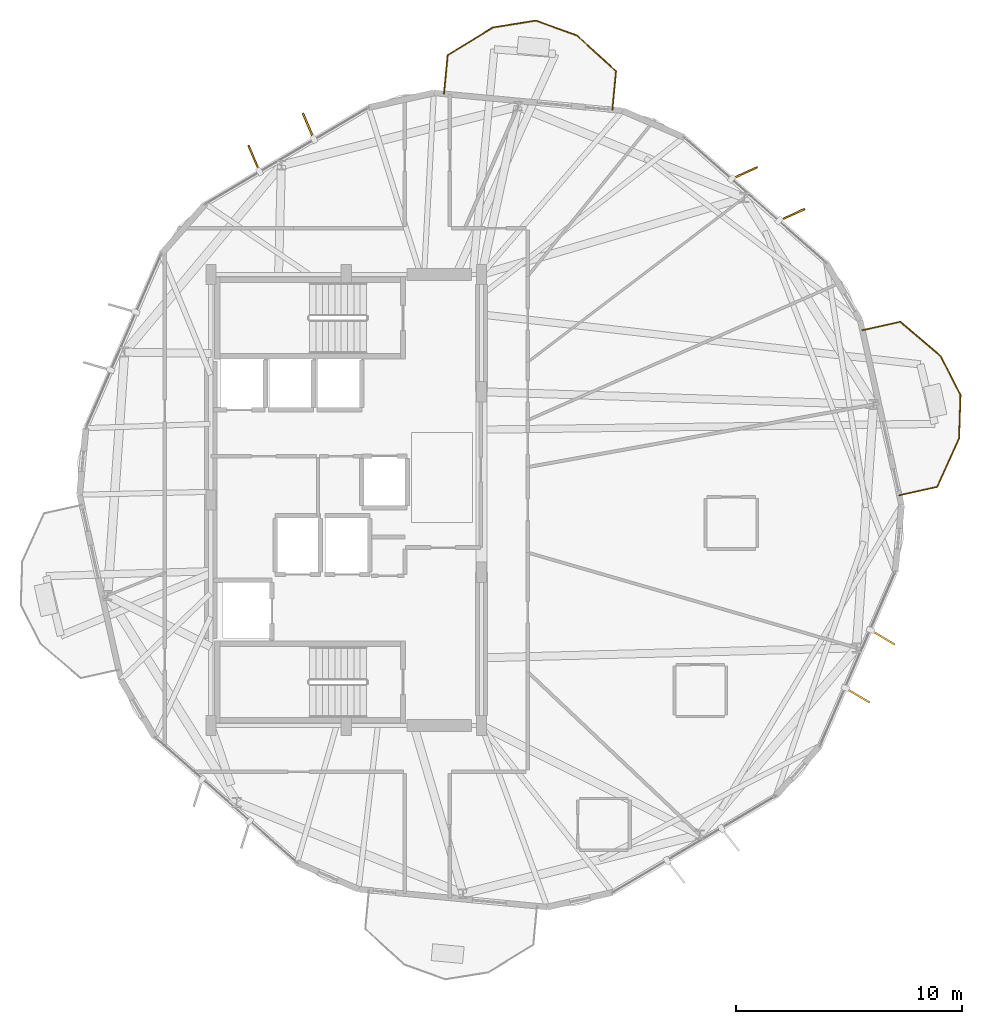
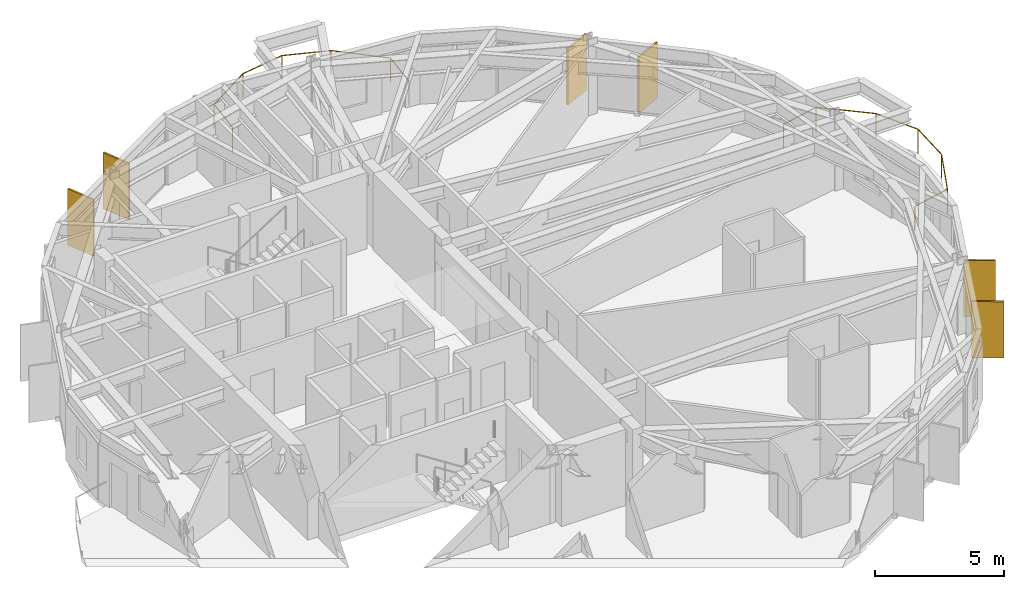
# One storey, part 21 of 21: 6 shading devices, 2 railings.
"""IFC4 building model written with IfcOpenShell, lengths in metres."""

from ifc_helpers import new_model, si_unit, direction, frame, origin, origin_2d, place, context, subcontext, project, spatial, rectangle, circle, extrude, material, layer, layer_set, type_object, element, save


model = new_model("IFC4")

# Units and contexts
model_context = context("Model", 3, precision=1e-05, world=origin(), true_north=direction((0.0, 1.0)))
body_context = subcontext(model_context, "Body", "Model", "MODEL_VIEW")
ifc_project = project(units=[si_unit("LENGTHUNIT", "METRE"), si_unit("AREAUNIT", "SQUARE_METRE"), si_unit("VOLUMEUNIT", "CUBIC_METRE"), si_unit("PLANEANGLEUNIT", "RADIAN"), si_unit("MASSUNIT", "GRAM", prefix="KILO")], contexts=[model_context])

# Site, building, storey
site_placement = place(None, origin())
site = spatial("IfcSite", under=ifc_project, at=site_placement, CompositionType="ELEMENT")
building_placement = place(site_placement, origin())
building = spatial("IfcBuilding", under=site, at=building_placement, Name="Soratama Intermodal Tower", CompositionType="ELEMENT")
storey_placement = place(building_placement, frame((0.0, 0.0, 146.199951171875)))
storey = spatial("IfcBuildingStorey", under=building, at=storey_placement, Name="L35", CompositionType="ELEMENT", Elevation=146.199951171875)

# Railings
ifc_material_1 = material(Name="Laminated glass and stainless steel balustrade", Category="steel")
railing_type = type_object("IfcRailingType", Name="RL-BAL-1150", PredefinedType="BALUSTRADE", material=ifc_material_1)
railing_1_placement = place(storey_placement, frame((61.48828125, 32.530517578125, 0.0)))
element("IfcRailing", 1, at=railing_1_placement, inside=storey, type_object=railing_type, Name="L35 Balcony Balustrade 1", PredefinedType="BALUSTRADE", context=body_context, shape_type="SweptSolid", body=[
    extrude(circle(Radius=0.02392578125, at=origin_2d()), frame((0.0, 0.0, 1.1259765625), z_axis=(0.975909042289, 0.218177774254, 0.0), x_axis=(-0.218177774254, 0.975909042289, 0.0)), (0.0, 0.0, 1.0), 1.719970703125),
    extrude(circle(Radius=0.02392578125, at=origin_2d()), frame((1.678466796875, 0.375244140625, 1.1259765625), z_axis=(0.76188292518, -0.647714758454, 0.0), x_axis=(0.647714758454, 0.76188292518, 0.0)), (0.0, 0.0, 1.0), 2.35009765625),
    extrude(circle(Radius=0.02392578125, at=origin_2d()), frame((3.468994140625, -1.14697265625, 1.1259765625), z_axis=(0.455308608735, -0.890333685093, 0.0), x_axis=(0.890333685093, 0.455308608735, 0.0)), (0.0, 0.0, 1.0), 1.937744140625),
    extrude(circle(Radius=0.02392578125, at=origin_2d()), frame((4.351318359375, -2.872314453125, 1.1259765625), z_axis=(-0.032882749958, -0.999459216154, 0.0), x_axis=(0.999459216154, -0.032882749958, 0.0)), (0.0, 0.0, 1.0), 1.937744140625),
    extrude(circle(Radius=0.02392578125, at=origin_2d()), frame((4.28759765625, -4.80908203125, 1.1259765625), z_axis=(-0.413575944472, -0.910469625058, 0.0), x_axis=(0.910469625058, -0.413575944472, 0.0)), (0.0, 0.0, 1.0), 2.35009765625),
    extrude(circle(Radius=0.02392578125, at=origin_2d()), frame((3.315673828125, -6.94873046875, 1.1259765625), z_axis=(-0.975909042289, -0.218177774254, 0.0), x_axis=(0.218177774254, -0.975909042289, 0.0)), (0.0, 0.0, 1.0), 1.719970703125),
    extrude(circle(Radius=0.02099609375, at=origin_2d()), origin(), (0.0, 0.0, 1.0), 1.101806640625),
    extrude(circle(Radius=0.02099609375, at=origin_2d()), frame((1.678466796875, 0.375244140625, 0.0)), (0.0, 0.0, 1.0), 1.101806640625),
    extrude(circle(Radius=0.02099609375, at=origin_2d()), frame((3.468994140625, -1.14697265625, 0.0)), (0.0, 0.0, 1.0), 1.101806640625),
    extrude(circle(Radius=0.02099609375, at=origin_2d()), frame((4.351318359375, -2.872314453125, 0.0)), (0.0, 0.0, 1.0), 1.101806640625),
    extrude(circle(Radius=0.02099609375, at=origin_2d()), frame((4.28759765625, -4.80908203125, 0.0)), (0.0, 0.0, 1.0), 1.101806640625),
    extrude(circle(Radius=0.02099609375, at=origin_2d()), frame((3.315673828125, -6.94873046875, 0.0)), (0.0, 0.0, 1.0), 1.101806640625),
    extrude(circle(Radius=0.02099609375, at=origin_2d()), frame((1.63720703125, -7.323974609375, 0.0)), (0.0, 0.0, 1.0), 1.101806640625),
])
railing_2_placement = place(storey_placement, frame((42.93310546875, 43.008544921875, 0.0)))
element("IfcRailing", 2, at=railing_2_placement, inside=storey, type_object=railing_type, Name="L35 Balcony Balustrade 2", PredefinedType="BALUSTRADE", context=body_context, shape_type="SweptSolid", body=[
    extrude(circle(Radius=0.02392578125, at=origin_2d()), frame((0.0, 0.0, 1.1259765625), z_axis=(0.094119051689, 0.99556094947, 0.0), x_axis=(-0.99556094947, 0.094119051689, 0.0)), (0.0, 0.0, 1.0), 1.7197265625),
    extrude(circle(Radius=0.02392578125, at=origin_2d()), frame((0.161865234375, 1.712158203125, 1.1259765625), z_axis=(0.85148707337, 0.524375594287, 0.0), x_axis=(-0.524375594287, 0.85148707337, 0.0)), (0.0, 0.0, 1.0), 2.350341796875),
    extrude(circle(Radius=0.02392578125, at=origin_2d()), frame((2.1630859375, 2.944580078125, 1.1259765625), z_axis=(0.987439059361, 0.158000329264, 0.0), x_axis=(-0.158000329264, 0.987439059361, 0.0)), (0.0, 0.0, 1.0), 1.937744140625),
    extrude(circle(Radius=0.02392578125, at=origin_2d()), frame((4.076416015625, 3.250732421875, 1.1259765625), z_axis=(0.940365936561, -0.340164526891, 0.0), x_axis=(0.340164526891, 0.940365936561, 0.0)), (0.0, 0.0, 1.0), 1.937744140625),
    extrude(circle(Radius=0.02392578125, at=origin_2d()), frame((5.898681640625, 2.591552734375, 1.1259765625), z_axis=(0.738127828337, -0.674660884471, 0.0), x_axis=(0.674660884471, 0.738127828337, 0.0)), (0.0, 0.0, 1.0), 2.350341796875),
    extrude(circle(Radius=0.02392578125, at=origin_2d()), frame((7.633544921875, 1.005859375, 1.1259765625), z_axis=(-0.094105751791, -0.995562206735, 0.0), x_axis=(0.995562206735, -0.094105751791, 0.0)), (0.0, 0.0, 1.0), 1.719970703125),
    extrude(circle(Radius=0.02099609375, at=origin_2d()), origin(), (0.0, 0.0, 1.0), 1.101806640625),
    extrude(circle(Radius=0.02099609375, at=origin_2d()), frame((0.161865234375, 1.712158203125, 0.0)), (0.0, 0.0, 1.0), 1.101806640625),
    extrude(circle(Radius=0.02099609375, at=origin_2d()), frame((2.1630859375, 2.944580078125, 0.0)), (0.0, 0.0, 1.0), 1.101806640625),
    extrude(circle(Radius=0.02099609375, at=origin_2d()), frame((4.076416015625, 3.250732421875, 0.0)), (0.0, 0.0, 1.0), 1.101806640625),
    extrude(circle(Radius=0.02099609375, at=origin_2d()), frame((5.898681640625, 2.591552734375, 0.0)), (0.0, 0.0, 1.0), 1.101806640625),
    extrude(circle(Radius=0.02099609375, at=origin_2d()), frame((7.633544921875, 1.005859375, 0.0)), (0.0, 0.0, 1.0), 1.101806640625),
    extrude(circle(Radius=0.02099609375, at=origin_2d()), frame((7.4716796875, -0.70654296875, 0.0)), (0.0, 0.0, 1.0), 1.101806640625),
])

# Shading devices
ifc_material_2 = material(Name="Champagne anodised aluminium solar fin", Category="aluminium")
ifc_layer = layer(ifc_material_2, 0.080078125)
ifc_layer_set = layer_set([ifc_layer], Name="Champagne anodised aluminium solar fin")
shading_device_type = type_object("IfcShadingDeviceType", Name="SH-FIN-1250", PredefinedType="USERDEFINED", material=ifc_layer_set)
for number, where, z_axis, x_axis, name in (
    (3, (58.364990234375, 37.64453125, 0.02001953125), (0.0, 0.0, 1.0), (0.909236109047, 0.41628079226, 0.0), "L35 Solar Fin F01-1"),
    (4, (56.26318359375, 39.497314453125, 0.02001953125), (0.0, 0.0, 1.0), (0.909236109047, 0.41628079226, 0.0), "L35 Solar Fin F01-2"),
    (5, (36.924560546875, 41.5703125, 0.02001953125), (0.0, 0.0, 1.0), (-0.393621046838, 0.919272794923, 0.0), "L35 Solar Fin F03-1"),
    (6, (34.512939453125, 40.144287109375, 0.02001953125), (0.0, 0.0, 1.0), (-0.393621046838, 0.919272794923, 0.0), "L35 Solar Fin F03-2"),
    (7, (61.27294921875, 16.3408203125, 0.02001953125), (0.0, 0.0, 1.0), (0.858781107925, -0.512342667236, 0.0), "L35 Solar Fin F09-1"),
    (8, (62.385498046875, 18.912109375, 0.02001953125), (0.0, 0.0, 1.0), (0.858781107925, -0.512342667236, 0.0), "L35 Solar Fin F09-2"),
):
    element("IfcShadingDevice", number, at=place(storey_placement, frame(where, z_axis=z_axis, x_axis=x_axis)), inside=storey, type_object=shading_device_type, Name=name, ObjectType="FIN", PredefinedType="USERDEFINED", context=body_context, shape_type="SweptSolid", body=[
        extrude(rectangle(XDim=1.25, YDim=0.080078125, at=origin_2d()), origin(), (0.0, 0.0, 1.0), 2.658935546875),
    ])

save(model, "model.ifc")
